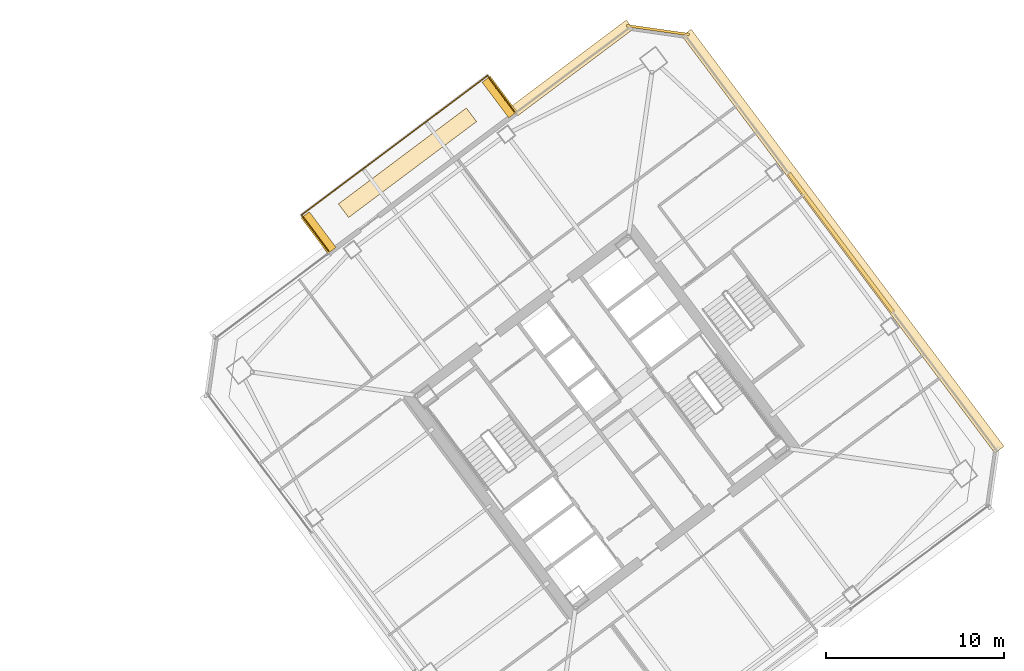
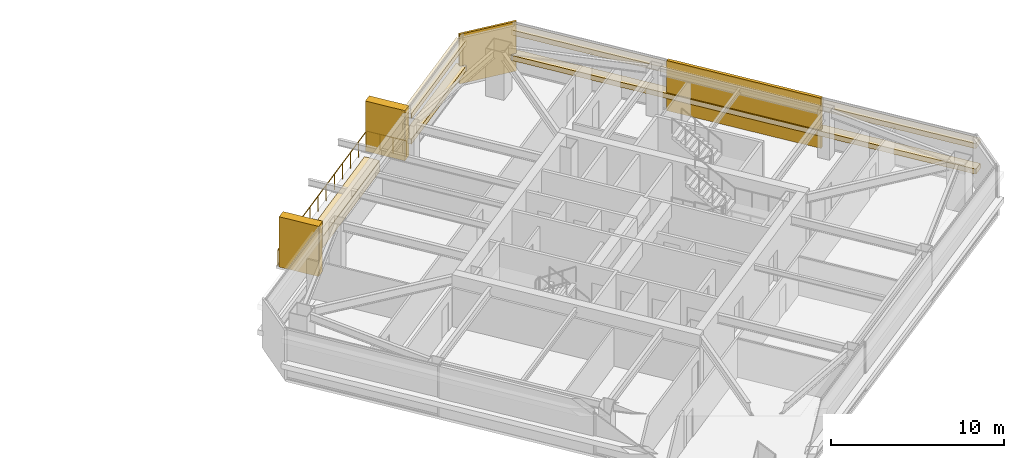
# One storey, part 41 of 41: 9 coverings, 3 railings.
"""IFC4 building model written with IfcOpenShell, lengths in metres."""

import ifcopenshell
import ifcopenshell.guid

model = None  # the IFC model being written
_history = None  # IfcOwnerHistory: only IFC2X3 demands one
_inside = {}  # id of a spatial element -> (the spatial element, [elements in it])
_under = {}  # id of a project, library or spatial element -> (it, [spatial elements below it])
_declared = {}  # id of a project -> (the project, [libraries it declares])
_typed = {}  # id of a type object -> (the type object, [elements of that type])
_made_of = {}  # id of a material, layer set ... -> (it, [elements and type objects made of it])


def new_model(schema):
    """Start an empty IFC model of exactly this schema.

    Asked for "IFC4X3", IfcOpenShell would pick the latest addendum, in which some entities
    have other attributes; the version numbers below select the first issue.
    IFC2X3 requires an IfcOwnerHistory on every rooted entity: one is made here for all.
    """
    global model, _history
    if schema == "IFC4X3":
        model = ifcopenshell.file(schema_version=(4, 3, 0, 0))
    else:
        model = ifcopenshell.file(schema=schema)
    _inside.clear()
    _under.clear()
    _declared.clear()
    _typed.clear()
    _made_of.clear()
    _history = None
    if model.schema == "IFC2X3":
        org = make("IfcOrganization", Name="unknown")
        user = make(
            "IfcPersonAndOrganization",
            ThePerson=make("IfcPerson", FamilyName="unknown"),
            TheOrganization=org,
        )
        app = make(
            "IfcApplication",
            ApplicationDeveloper=org,
            Version="unknown",
            ApplicationFullName="unknown",
            ApplicationIdentifier="unknown",
        )
        _history = make(
            "IfcOwnerHistory",
            OwningUser=user,
            OwningApplication=app,
            ChangeAction="ADDED",
            CreationDate=0,
        )
    return model


def make(cls, **values):
    """One entity of the class cls with the attributes given. An attribute that is None is left unset."""
    return model.create_entity(
        cls, **{name: value for name, value in values.items() if value is not None}
    )


def rooted(cls, **values):
    """An entity with a GlobalId (a new one), such as an element, a storey or a relation."""
    return make(cls, GlobalId=ifcopenshell.guid.new(), OwnerHistory=_history, **values)


def si_unit(unit_type, name, prefix=None):
    """IfcSIUnit, for example si_unit("LENGTHUNIT", "METRE", prefix="MILLI")."""
    return make("IfcSIUnit", UnitType=unit_type, Prefix=prefix, Name=name)


def assignment(units):
    """IfcUnitAssignment: the units of a project."""
    return None if units is None else make("IfcUnitAssignment", Units=units)


def point(xyz):
    """IfcCartesianPoint."""
    return None if xyz is None else make("IfcCartesianPoint", Coordinates=xyz)


def direction(xyz):
    """IfcDirection."""
    return None if xyz is None else make("IfcDirection", DirectionRatios=xyz)


def frame(location, z_axis=None, x_axis=None):
    """IfcAxis2Placement3D, a coordinate frame: its origin and axes. An axis left out is left unset."""
    return make(
        "IfcAxis2Placement3D",
        Location=point(location),
        Axis=direction(z_axis),
        RefDirection=direction(x_axis),
    )


def frame_2d(location, x_axis=None):
    """IfcAxis2Placement2D, a coordinate frame in the plane: its origin and x axis."""
    return make(
        "IfcAxis2Placement2D", Location=point(location), RefDirection=direction(x_axis)
    )


def origin():
    """The frame at (0, 0, 0) with its axes left unset."""
    return frame((0.0, 0.0, 0.0))


def origin_2d():
    """The frame at (0, 0) in the plane with its x axis left unset."""
    return frame_2d((0.0, 0.0))


def place(relative_to, where):
    """IfcLocalPlacement: puts the frame where relative to a parent placement (None: the world)."""
    return make(
        "IfcLocalPlacement", PlacementRelTo=relative_to, RelativePlacement=where
    )


def context(
    kind, dimensions, precision=None, world=None, true_north=None, identifier=None
):
    """IfcGeometricRepresentationContext, for example the 3D "Model" context."""
    return make(
        "IfcGeometricRepresentationContext",
        ContextIdentifier=identifier,
        ContextType=kind,
        CoordinateSpaceDimension=dimensions,
        Precision=precision,
        WorldCoordinateSystem=world,
        TrueNorth=true_north,
    )


def subcontext(parent, identifier, kind, view, scale=None):
    """IfcGeometricRepresentationSubContext, for example "Body" below "Model"."""
    return make(
        "IfcGeometricRepresentationSubContext",
        ContextIdentifier=identifier,
        ContextType=kind,
        ParentContext=parent,
        TargetScale=scale,
        TargetView=view,
    )


def project(units=None, contexts=None):
    """IfcProject with its units and contexts."""
    return rooted(
        "IfcProject",
        Name="project",
        RepresentationContexts=contexts,
        UnitsInContext=assignment(units),
    )


def spatial(cls, under=None, at=None, **own):
    """A site, building, storey or space (cls), placed at a placement, below another one or the project."""
    s = rooted(cls, ObjectPlacement=at, **own)
    if under is not None:
        _under.setdefault(under.id(), (under, []))[1].append(s)
    return s


def profile(cls, at=None, kind="AREA", **sizes):
    """A parametric profile (cls). Its sizes go by their IFC names, for example OverallWidth=200.0."""
    return make(cls, ProfileType=kind, Position=at, **sizes)


def rectangle(**sizes):
    """IfcRectangleProfileDef."""
    return profile("IfcRectangleProfileDef", **sizes)


def extrude(swept, where, along, depth):
    """IfcExtrudedAreaSolid: the profile swept, set in the frame where, extruded along a direction by depth."""
    return make(
        "IfcExtrudedAreaSolid",
        SweptArea=swept,
        Position=where,
        ExtrudedDirection=direction(along),
        Depth=depth,
    )


def shape(context_of_items, identifier, shape_type, items):
    """IfcShapeRepresentation: the items that make up one representation, for example the "Body"."""
    return make(
        "IfcShapeRepresentation",
        ContextOfItems=context_of_items,
        RepresentationIdentifier=identifier,
        RepresentationType=shape_type,
        Items=items,
    )


def material(Name=None, Category=None):
    """IfcMaterial."""
    return make("IfcMaterial", Name=Name, Category=Category)


def layer(
    of_material, thickness, ventilated=None, Name=None, Category=None, Priority=None
):
    """IfcMaterialLayer: one layer of a wall or slab, of a material (None: an air gap)."""
    return make(
        "IfcMaterialLayer",
        Material=of_material,
        LayerThickness=thickness,
        IsVentilated=ventilated,
        Name=Name,
        Category=Category,
        Priority=Priority,
    )


def layer_set(layers, Name=None):
    """IfcMaterialLayerSet."""
    return make("IfcMaterialLayerSet", MaterialLayers=layers, LayerSetName=Name)


def made_of(thing, what):
    """Note that an element or type object is made of a material, layer set ...; save() writes the relation."""
    if what is not None:
        _made_of.setdefault(what.id(), (what, []))[1].append(thing)
    return thing


def type_object(cls, material=None, **own):
    """A type object (cls), such as IfcWallType, which elements share."""
    return made_of(rooted(cls, **own), material)


def element(
    cls,
    number,
    at=None,
    inside=None,
    cuts=None,
    type_object=None,
    material=None,
    context=None,
    identifier="Body",
    shape_type=None,
    held_by="IfcProductDefinitionShape",
    body=None,
    shapes=None,
    **own,
):
    """One element of the class cls, such as IfcWall. Its Tag is "e" and its number.

    at: its placement. inside: the storey or other place that contains it. cuts: it is an
    opening in that element (IfcRelVoidsElement). A single representation is given by context,
    identifier, shape_type and body (its items); several are given by shapes. held_by: the class
    of the entity that holds the representations. save() writes the other relations.
    """
    e = rooted(cls, Tag="e%d" % number, ObjectPlacement=at, **own)
    if body is not None:
        shapes = [shape(context, identifier, shape_type, body)]
    if shapes is not None:
        e.Representation = make(held_by, Representations=shapes)
    if inside is not None:
        _inside.setdefault(inside.id(), (inside, []))[1].append(e)
    if cuts is not None:
        rooted(
            "IfcRelVoidsElement", RelatingBuildingElement=cuts, RelatedOpeningElement=e
        )
    if type_object is not None:
        _typed.setdefault(type_object.id(), (type_object, []))[1].append(e)
    return made_of(e, material)


def aggregate(whole, parts):
    """IfcRelAggregates: a whole, such as a stair, and the parts it consists of."""
    return rooted("IfcRelAggregates", RelatingObject=whole, RelatedObjects=parts)


def save(model, path):
    """Write the relations noted so far, then the file.

    IfcRelAggregates (storeys below a building ...), IfcRelContainedInSpatialStructure (elements
    in a storey), IfcRelDefinesByType, IfcRelAssociatesMaterial and IfcRelDeclares: one each for
    every whole, place, type object, material and project.
    """
    for whole, parts in _under.values():
        aggregate(whole, parts)
    for where, things in _inside.values():
        rooted(
            "IfcRelContainedInSpatialStructure",
            RelatedElements=things,
            RelatingStructure=where,
        )
    for kind, things in _typed.values():
        rooted("IfcRelDefinesByType", RelatedObjects=things, RelatingType=kind)
    for what, things in _made_of.values():
        rooted("IfcRelAssociatesMaterial", RelatedObjects=things, RelatingMaterial=what)
    for by, libraries in _declared.values():
        rooted("IfcRelDeclares", RelatingContext=by, RelatedDefinitions=libraries)
    model.write(path)


model = new_model("IFC4")

# Units and contexts
model_context = context("Model", 3, precision=1e-05, world=origin(), true_north=direction((0.0, 1.0)))
body_context = subcontext(model_context, "Body", "Model", "MODEL_VIEW")
ifc_project = project(units=[si_unit("LENGTHUNIT", "METRE"), si_unit("AREAUNIT", "SQUARE_METRE"), si_unit("VOLUMEUNIT", "CUBIC_METRE"), si_unit("PLANEANGLEUNIT", "RADIAN"), si_unit("MASSUNIT", "GRAM", prefix="KILO")], contexts=[model_context])

# Site, building, storey
site_placement = place(None, origin())
site = spatial("IfcSite", under=ifc_project, at=site_placement, CompositionType="ELEMENT")
building_placement = place(site_placement, origin())
building = spatial("IfcBuilding", under=site, at=building_placement, Name="Tashvorn Skyway Center", CompositionType="ELEMENT")
storey_placement = place(building_placement, frame((0.0, 0.0, 192.5)))
storey = spatial("IfcBuildingStorey", under=building, at=storey_placement, Name="L52", CompositionType="ELEMENT", Elevation=192.5)

# Coverings
ifc_material_1 = material(Name="Precast concrete C40/50", Category="concrete")
ifc_layer_1 = layer(ifc_material_1, 0.199951171875)
ifc_layer_set_1 = layer_set([ifc_layer_1], Name="Precast concrete C40/50")
covering_type_1 = type_object("IfcCoveringType", Name="COV-BRACE-CLAD", PredefinedType="CLADDING", material=ifc_layer_set_1)
covering_1_placement = place(storey_placement, frame((127.424072265625, 42.068115234375, 0.0), z_axis=(0.0, 0.0, 1.0), x_axis=(0.600000004945, -0.799999996291, 0.0)))
element("IfcCovering", 1, at=covering_1_placement, inside=storey, type_object=covering_type_1, Name="Tower 2 L52 East Unitised Curtain Wall Mega-Brace Cladding Band 1", PredefinedType="CLADDING", context=body_context, shape_type="SweptSolid", body=[
    extrude(rectangle(XDim=9.719970703125, YDim=0.199951171875, at=origin_2d()), origin(), (0.0, 0.0, 1.0), 3.550048828125),
])
ifc_material_2 = material(Name="Perforated ceramic-coated bronze aluminium solar screen", Category="aluminium")
ifc_layer_2 = layer(ifc_material_2, 0.85009765625)
ifc_layer_set_2 = layer_set([ifc_layer_2], Name="Perforated ceramic-coated bronze aluminium solar screen")
covering_type_2 = type_object("IfcCoveringType", Name="COV-SOLAR-BAND", PredefinedType="CLADDING", material=ifc_layer_set_2)
for number, where, z_axis, x_axis, name in (
    (2, (112.320068359375, 51.889892578125, 0.919921875), (0.0, 0.0, 1.0), (0.799999996291, 0.600000004945, 0.0), "L52 Perforated Ceramic-Metal Solar Screen Louvre Band North 1"),
    (3, (112.320068359375, 51.889892578125, 2.7197265625), (0.0, 0.0, 1.0), (0.799999996291, 0.600000004945, 0.0), "L52 Perforated Ceramic-Metal Solar Screen Louvre Band North 2"),
):
    element("IfcCovering", number, at=place(storey_placement, frame(where, z_axis=z_axis, x_axis=x_axis)), inside=storey, type_object=covering_type_2, Name=name, PredefinedType="CLADDING", context=body_context, shape_type="SweptSolid", body=[
        extrude(rectangle(XDim=8.10009765625, YDim=0.639892578125, at=origin_2d()), origin(), (0.0, 0.0, 1.0), 0.360107421875),
    ])
for number, where, z_axis, x_axis, name in (
    (4, (127.535888671875, 42.152099609375, 0.919921875), (0.0, 0.0, 1.0), (0.600000004945, -0.799999996291, 0.0), "L52 Perforated Ceramic-Metal Solar Screen Louvre Band East 1"),
    (5, (127.535888671875, 42.152099609375, 2.7197265625), (0.0, 0.0, 1.0), (0.600000004945, -0.799999996291, 0.0), "L52 Perforated Ceramic-Metal Solar Screen Louvre Band East 2"),
):
    element("IfcCovering", number, at=place(storey_placement, frame(where, z_axis=z_axis, x_axis=x_axis)), inside=storey, type_object=covering_type_2, Name=name, PredefinedType="CLADDING", context=body_context, shape_type="SweptSolid", body=[
        extrude(rectangle(XDim=29.280029296875, YDim=0.639892578125, at=origin_2d()), origin(), (0.0, 0.0, 1.0), 0.360107421875),
    ])
ifc_layer_3 = layer(ifc_material_1, 0.35009765625)
ifc_layer_set_3 = layer_set([ifc_layer_3], Name="Precast concrete C40/50")
covering_type_3 = type_object("IfcCoveringType", Name="COV-STONE-TRIM", PredefinedType="CLADDING", material=ifc_layer_set_3)
for number, where, z_axis, x_axis, name in (
    (6, (98.090087890625, 42.6298828125, 0.0), (0.0, 0.0, 1.0), (0.799999996291, 0.600000004945, 0.0), "Tower 2 L52 Sky Garden Loggia Pier L"),
    (7, (108.25, 50.25, 0.0), (0.0, 0.0, 1.0), (0.799999996291, 0.600000004945, 0.0), "Tower 2 L52 Sky Garden Loggia Pier R"),
):
    element("IfcCovering", number, at=place(storey_placement, frame(where, z_axis=z_axis, x_axis=x_axis)), inside=storey, type_object=covering_type_3, Name=name, PredefinedType="CLADDING", context=body_context, shape_type="SweptSolid", body=[
        extrude(rectangle(XDim=0.580078125, YDim=2.5, at=origin_2d()), origin(), (0.0, 0.0, 1.0), 3.550048828125),
    ])
covering_2_placement = place(storey_placement, frame((103.080078125, 46.56005859375, 0.0), z_axis=(0.0, 0.0, 1.0), x_axis=(0.799999996291, 0.600000004945, 0.0)))
element("IfcCovering", 8, at=covering_2_placement, inside=storey, type_object=covering_type_3, Name="Tower 2 L52 Sky Garden Stone Planter Bed", PredefinedType="CLADDING", context=body_context, shape_type="SweptSolid", body=[
    extrude(rectangle(XDim=8.97607421875, YDim=0.949951171875, at=origin_2d()), origin(), (0.0, 0.0, 1.0), 0.800048828125),
])
covering_3_placement = place(storey_placement, frame((117.14404296875, 54.008056640625, 0.02001953125), z_axis=(0.0, 0.0, 1.0), x_axis=(0.989949494535, -0.141421350118, 0.0)))
element("IfcCovering", 9, at=covering_3_placement, inside=storey, type_object=covering_type_3, Name="Tower 2 L52 NE Mojave Limestone Corner Quoin", PredefinedType="CLADDING", context=body_context, shape_type="SweptSolid", body=[
    extrude(rectangle(XDim=3.55419921875, YDim=0.139892578125, at=origin_2d()), origin(), (0.0, 0.0, 1.0), 3.510009765625),
])

# Railings
ifc_material_3 = material(Name="Galvanized steel S355", Category="steel")
railing_type = type_object("IfcRailingType", Name="RAIL-GUARD-1120", PredefinedType="GUARDRAIL", material=ifc_material_3)
railing_1_placement = place(storey_placement, frame((98.64404296875, 41.60791015625, 0.0)))
element("IfcRailing", 10, at=railing_1_placement, inside=storey, type_object=railing_type, Name="L52 Tower 2 Terrace Guardrail 01", PredefinedType="GUARDRAIL", context=body_context, shape_type="SweptSolid", body=[
    extrude(rectangle(XDim=0.048095703125, YDim=0.048095703125, at=origin_2d()), frame((0.0, 0.0, 1.09619140625), z_axis=(-0.599968998406, 0.800023250257, 0.0), x_axis=(-0.800023250257, -0.599968998406, 0.0)), (0.0, 0.0, 1.0), 2.52001953125),
    extrude(rectangle(XDim=0.0419921875, YDim=0.0419921875, at=origin_2d()), origin(), (0.0, 0.0, 1.0), 1.072021484375),
    extrude(rectangle(XDim=0.0419921875, YDim=0.0419921875, at=origin_2d()), frame((-0.50390625, 0.672119140625, 0.0)), (0.0, 0.0, 1.0), 1.072021484375),
    extrude(rectangle(XDim=0.0419921875, YDim=0.0419921875, at=origin_2d()), frame((-1.008056640625, 1.343994140625, 0.0)), (0.0, 0.0, 1.0), 1.072021484375),
    extrude(rectangle(XDim=0.0419921875, YDim=0.0419921875, at=origin_2d()), frame((-1.511962890625, 2.01611328125, 0.0)), (0.0, 0.0, 1.0), 1.072021484375),
])
railing_2_placement = place(storey_placement, frame((97.132080078125, 43.6240234375, 0.0)))
element("IfcRailing", 11, at=railing_2_placement, inside=storey, type_object=railing_type, Name="L52 Tower 2 Terrace Guardrail 02", PredefinedType="GUARDRAIL", context=body_context, shape_type="SweptSolid", body=[
    extrude(rectangle(XDim=0.048095703125, YDim=0.048095703125, at=origin_2d()), frame((0.0, 0.0, 1.09619140625), z_axis=(0.799997753283, 0.600002995611, 0.0), x_axis=(-0.600002995611, 0.799997753283, 0.0)), (0.0, 0.0, 1.0), 13.039794921875),
    extrude(rectangle(XDim=0.0419921875, YDim=0.0419921875, at=origin_2d()), origin(), (0.0, 0.0, 1.0), 1.072021484375),
    extrude(rectangle(XDim=0.0419921875, YDim=0.0419921875, at=origin_2d()), frame((0.9482421875, 0.711181640625, 0.0)), (0.0, 0.0, 1.0), 1.072021484375),
    extrude(rectangle(XDim=0.0419921875, YDim=0.0419921875, at=origin_2d()), frame((1.896728515625, 1.422607421875, 0.0)), (0.0, 0.0, 1.0), 1.072021484375),
    extrude(rectangle(XDim=0.0419921875, YDim=0.0419921875, at=origin_2d()), frame((2.844970703125, 2.1337890625, 0.0)), (0.0, 0.0, 1.0), 1.072021484375),
    extrude(rectangle(XDim=0.0419921875, YDim=0.0419921875, at=origin_2d()), frame((3.79345703125, 2.844970703125, 0.0)), (0.0, 0.0, 1.0), 1.072021484375),
    extrude(rectangle(XDim=0.0419921875, YDim=0.0419921875, at=origin_2d()), frame((4.74169921875, 3.556396484375, 0.0)), (0.0, 0.0, 1.0), 1.072021484375),
    extrude(rectangle(XDim=0.0419921875, YDim=0.0419921875, at=origin_2d()), frame((5.690185546875, 4.267578125, 0.0)), (0.0, 0.0, 1.0), 1.072021484375),
    extrude(rectangle(XDim=0.0419921875, YDim=0.0419921875, at=origin_2d()), frame((6.638427734375, 4.97900390625, 0.0)), (0.0, 0.0, 1.0), 1.072021484375),
    extrude(rectangle(XDim=0.0419921875, YDim=0.0419921875, at=origin_2d()), frame((7.5869140625, 5.690185546875, 0.0)), (0.0, 0.0, 1.0), 1.072021484375),
    extrude(rectangle(XDim=0.0419921875, YDim=0.0419921875, at=origin_2d()), frame((8.53515625, 6.4013671875, 0.0)), (0.0, 0.0, 1.0), 1.072021484375),
    extrude(rectangle(XDim=0.0419921875, YDim=0.0419921875, at=origin_2d()), frame((9.483642578125, 7.11279296875, 0.0)), (0.0, 0.0, 1.0), 1.072021484375),
    extrude(rectangle(XDim=0.0419921875, YDim=0.0419921875, at=origin_2d()), frame((10.431884765625, 7.823974609375, 0.0)), (0.0, 0.0, 1.0), 1.072021484375),
])
railing_3_placement = place(storey_placement, frame((107.56396484375, 51.447998046875, 0.0)))
element("IfcRailing", 12, at=railing_3_placement, inside=storey, type_object=railing_type, Name="L52 Tower 2 Terrace Guardrail 03", PredefinedType="GUARDRAIL", context=body_context, shape_type="SweptSolid", body=[
    extrude(rectangle(XDim=0.048095703125, YDim=0.048095703125, at=origin_2d()), frame((0.0, 0.0, 1.09619140625), z_axis=(0.599968998406, -0.800023250257, 0.0), x_axis=(0.800023250257, 0.599968998406, 0.0)), (0.0, 0.0, 1.0), 2.52001953125),
    extrude(rectangle(XDim=0.0419921875, YDim=0.0419921875, at=origin_2d()), origin(), (0.0, 0.0, 1.0), 1.072021484375),
    extrude(rectangle(XDim=0.0419921875, YDim=0.0419921875, at=origin_2d()), frame((0.50390625, -0.672119140625, 0.0)), (0.0, 0.0, 1.0), 1.072021484375),
    extrude(rectangle(XDim=0.0419921875, YDim=0.0419921875, at=origin_2d()), frame((1.008056640625, -1.343994140625, 0.0)), (0.0, 0.0, 1.0), 1.072021484375),
    extrude(rectangle(XDim=0.0419921875, YDim=0.0419921875, at=origin_2d()), frame((1.511962890625, -2.01611328125, 0.0)), (0.0, 0.0, 1.0), 1.072021484375),
])

save(model, "model.ifc")
